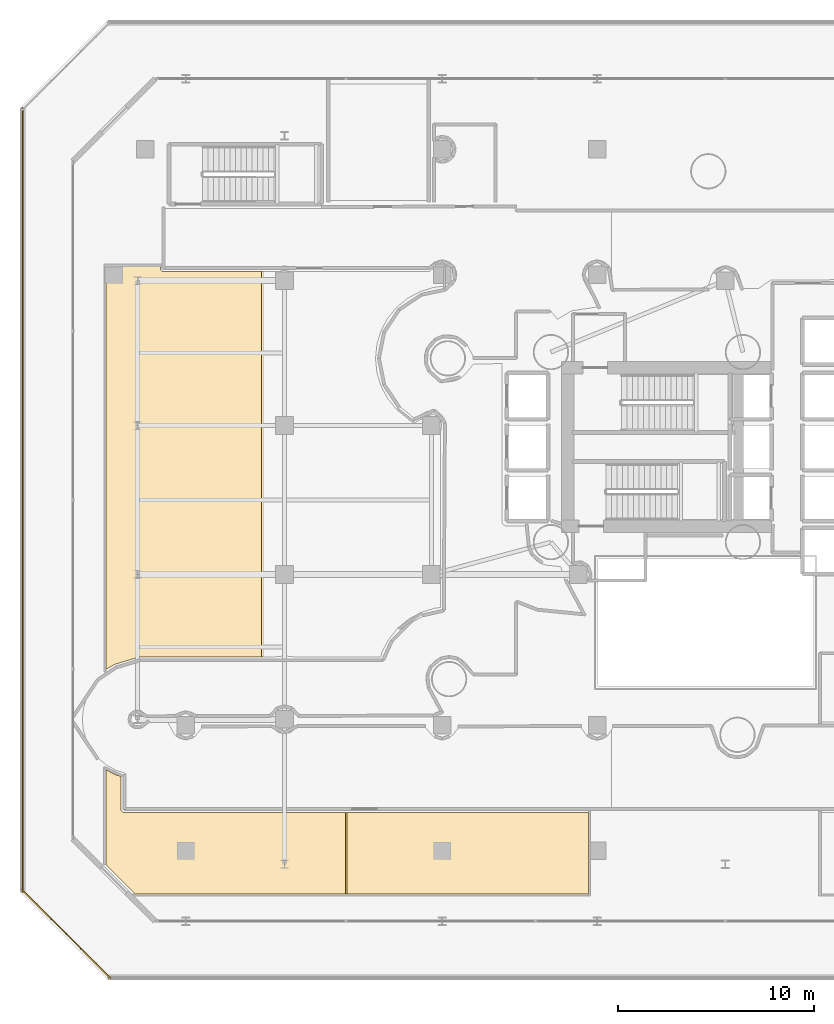
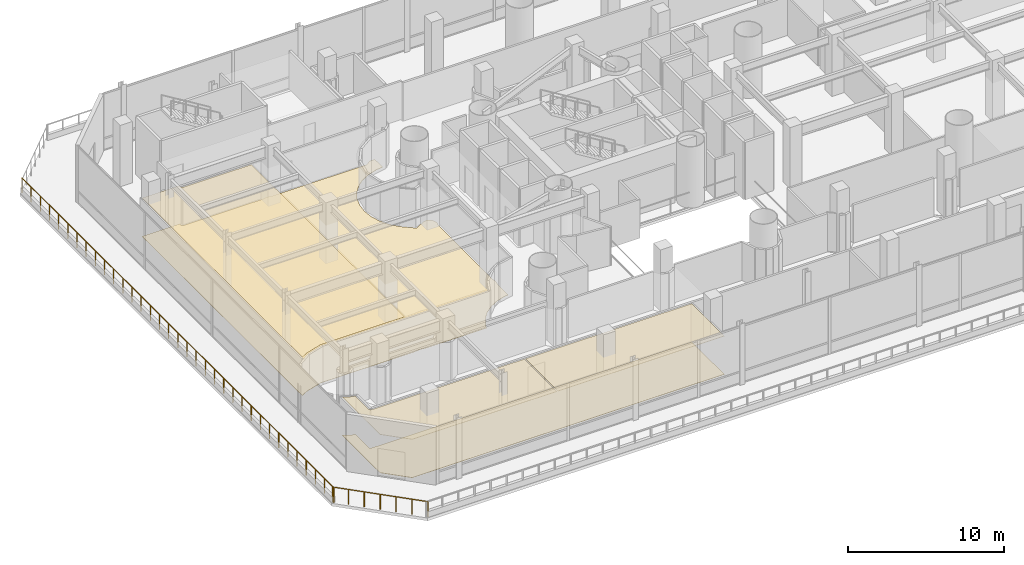
# One storey, part 31 of 39: 5 coverings, 2 railings.
"""IFC4 building model written with IfcOpenShell, lengths in metres."""

from ifc_helpers import new_model, si_unit, direction, frame, origin, origin_2d, place, context, subcontext, project, spatial, polyline, rectangle, outline, extrude, material, layer, layer_set, type_object, element, save


model = new_model("IFC4")

# Units and contexts
model_context = context("Model", 3, precision=1e-05, world=origin(), true_north=direction((0.0, 1.0)))
body_context = subcontext(model_context, "Body", "Model", "MODEL_VIEW")
ifc_project = project(units=[si_unit("LENGTHUNIT", "METRE"), si_unit("AREAUNIT", "SQUARE_METRE"), si_unit("VOLUMEUNIT", "CUBIC_METRE"), si_unit("PLANEANGLEUNIT", "RADIAN"), si_unit("MASSUNIT", "GRAM", prefix="KILO")], contexts=[model_context])

# Site, building, storey
site_placement = place(None, origin())
site = spatial("IfcSite", under=ifc_project, at=site_placement, CompositionType="ELEMENT")
building_placement = place(site_placement, origin())
building = spatial("IfcBuilding", under=site, at=building_placement, Name="Qianvela Tower", CompositionType="ELEMENT")
storey_placement = place(building_placement, frame((0.0, 0.0, 15.800048828125)))
storey = spatial("IfcBuildingStorey", under=building, at=storey_placement, Name="L03", CompositionType="ELEMENT", Elevation=15.800048828125)

# Coverings
ifc_material_1 = material(Name="Perforated Mineral Acoustic Ceiling Tile")
ifc_layer_1 = layer(ifc_material_1, 0.02490234375)
ifc_layer_set_1 = layer_set([ifc_layer_1], Name="Perforated Mineral Acoustic Ceiling Tile")
covering_type_1 = type_object("IfcCoveringType", Name="COV-CEIL-ACOUSTIC-25", PredefinedType="CEILING", material=ifc_layer_set_1)
covering_1_placement = place(storey_placement, frame((0.0, 0.0, 2.994873046875)))
element("IfcCovering", 1, at=covering_1_placement, inside=storey, type_object=covering_type_1, Name="L03 Acoustic Ceiling Bay 1 L03 Academic Reference Library", PredefinedType="CEILING", context=body_context, shape_type="SweptSolid", body=[
    extrude(outline(polyline([(7.3876953125, 5.8798828125), (5.8798828125, 7.3876953125), (5.8798828125, 12.244873046875), (6.327392578125, 11.99365234375), (6.335205078125, 11.989990234375), (6.34326171875, 11.98681640625), (6.657958984375, 11.89111328125), (6.657958984375, 10.199951171875), (6.658203125, 10.192626953125), (6.659423828125, 10.185302734375), (6.660888671875, 10.17822265625), (6.663330078125, 10.171142578125), (6.666259765625, 10.16455078125), (6.669921875, 10.157958984375), (6.674072265625, 10.152099609375), (6.6787109375, 10.146240234375), (6.734619140625, 10.084716796875), (6.740478515625, 10.07861328125), (6.7470703125, 10.073486328125), (6.754150390625, 10.06884765625), (6.761474609375, 10.065185546875), (6.769287109375, 10.062255859375), (6.77734375, 10.06005859375), (6.78564453125, 10.05859375), (6.7939453125, 10.058349609375), (18.110595703125, 10.05810546875), (18.110595703125, 5.8798828125), (7.3876953125, 5.8798828125)])), origin(), (0.0, 0.0, 1.0), 0.025146484375),
])
covering_2_placement = place(storey_placement, frame((0.0, 0.0, 2.994873046875)))
element("IfcCovering", 2, at=covering_2_placement, inside=storey, type_object=covering_type_1, Name="L03 Acoustic Ceiling Bay 2 L03 Academic Reference Library", PredefinedType="CEILING", context=body_context, shape_type="SweptSolid", body=[
    extrude(outline(polyline([(18.190673828125, 5.8798828125), (18.190673828125, 10.05810546875), (30.52001953125, 10.05810546875), (30.52001953125, 5.8798828125), (18.190673828125, 5.8798828125)])), origin(), (0.0, 0.0, 1.0), 0.025146484375),
])
covering_3_placement = place(storey_placement, frame((0.0, 0.0, 2.994873046875)))
element("IfcCovering", 3, at=covering_3_placement, inside=storey, type_object=covering_type_1, Name="L03 Acoustic Ceiling Bay 1 L03 Student Tea Pantry and Study Lounge", PredefinedType="CEILING", context=body_context, shape_type="SweptSolid", body=[
    extrude(outline(polyline([(7.6123046875, 17.991943359375), (7.6044921875, 17.99169921875), (7.596923828125, 17.990478515625), (7.58935546875, 17.988525390625), (6.343505859375, 17.613037109375), (6.335205078125, 17.610107421875), (6.327392578125, 17.606201171875), (5.8798828125, 17.355224609375), (5.8798828125, 37.919921875), (8.658447265625, 37.919921875), (8.6591796875, 37.78759765625), (8.65966796875, 37.77978515625), (8.660888671875, 37.77197265625), (8.66259765625, 37.764404296875), (8.665283203125, 37.757080078125), (8.668701171875, 37.75), (8.6728515625, 37.743408203125), (8.677490234375, 37.737060546875), (8.6826171875, 37.731201171875), (8.6884765625, 37.72607421875), (8.749267578125, 37.67626953125), (8.755615234375, 37.67138671875), (8.76220703125, 37.66748046875), (8.769287109375, 37.6640625), (8.77685546875, 37.661376953125), (8.784423828125, 37.659423828125), (8.792236328125, 37.658447265625), (8.800048828125, 37.657958984375), (13.82763671875, 37.657958984375), (13.82763671875, 17.991943359375), (7.6123046875, 17.991943359375)])), origin(), (0.0, 0.0, 1.0), 0.025146484375),
])
ifc_material_2 = material(Name="Engineered Acoustic Oak Timber Flooring", Category="wood")
ifc_layer_2 = layer(ifc_material_2, 0.02001953125)
ifc_layer_set_2 = layer_set([ifc_layer_2], Name="Engineered Acoustic Oak Timber Flooring")
covering_type_2 = type_object("IfcCoveringType", Name="COV-FLOOR-OAK-20", PredefinedType="FLOORING", material=ifc_layer_set_2)
covering_4_placement = place(storey_placement, origin())
element("IfcCovering", 4, at=covering_4_placement, inside=storey, type_object=covering_type_2, Name="L03 Finish Flooring L03 Academic Reference Library", PredefinedType="FLOORING", context=body_context, shape_type="SweptSolid", body=[
    extrude(outline(polyline([(30.52001953125, 5.8798828125), (7.3876953125, 5.8798828125), (5.8798828125, 7.3876953125), (5.8798828125, 12.244873046875), (6.327392578125, 11.99365234375), (6.335205078125, 11.989990234375), (6.34326171875, 11.98681640625), (6.657958984375, 11.89111328125), (6.657958984375, 10.199951171875), (6.658203125, 10.192626953125), (6.659423828125, 10.185302734375), (6.660888671875, 10.17822265625), (6.663330078125, 10.171142578125), (6.666259765625, 10.16455078125), (6.669921875, 10.157958984375), (6.674072265625, 10.152099609375), (6.6787109375, 10.146240234375), (6.734619140625, 10.084716796875), (6.740478515625, 10.07861328125), (6.7470703125, 10.073486328125), (6.754150390625, 10.06884765625), (6.761474609375, 10.065185546875), (6.769287109375, 10.062255859375), (6.77734375, 10.06005859375), (6.78564453125, 10.05859375), (6.7939453125, 10.058349609375), (30.52001953125, 10.05810546875), (30.52001953125, 5.8798828125)])), origin(), (0.0, 0.0, 1.0), 0.02001953125),
])
covering_5_placement = place(storey_placement, origin())
element("IfcCovering", 5, at=covering_5_placement, inside=storey, type_object=covering_type_2, Name="L03 Finish Flooring L03 Student Tea Pantry and Study Lounge", PredefinedType="FLOORING", context=body_context, shape_type="SweptSolid", body=[
    extrude(outline(polyline([(23.1201171875, 36.915283203125), (22.622802734375, 36.849853515625), (22.616455078125, 36.848876953125), (22.610107421875, 36.84716796875), (21.9326171875, 36.6416015625), (21.925048828125, 36.638916015625), (21.91796875, 36.635498046875), (21.293701171875, 36.3017578125), (21.286865234375, 36.2978515625), (21.280517578125, 36.293212890625), (20.733154296875, 35.843994140625), (20.727294921875, 35.838623046875), (20.72216796875, 35.832763671875), (20.27294921875, 35.285400390625), (20.268310546875, 35.279296875), (20.26416015625, 35.2724609375), (19.930419921875, 34.64794921875), (19.927001953125, 34.640869140625), (19.92431640625, 34.633544921875), (19.71875, 33.955810546875), (19.716796875, 33.9482421875), (19.7158203125, 33.9404296875), (19.646484375, 33.23583984375), (19.64599609375, 33.22802734375), (19.646484375, 33.22021484375), (19.7158203125, 32.515380859375), (19.716796875, 32.5078125), (19.71875, 32.5), (19.92431640625, 31.822509765625), (19.927001953125, 31.815185546875), (19.930419921875, 31.80810546875), (20.26416015625, 31.18359375), (20.268310546875, 31.1767578125), (20.27294921875, 31.17041015625), (20.72216796875, 30.623291015625), (20.7275390625, 30.6171875), (20.73388671875, 30.611572265625), (21.55029296875, 29.95458984375), (21.556640625, 29.949951171875), (21.563232421875, 29.946044921875), (21.5703125, 29.94287109375), (21.577392578125, 29.940185546875), (21.5849609375, 29.9384765625), (21.592529296875, 29.937255859375), (21.600341796875, 29.936767578125), (21.60791015625, 29.937255859375), (21.615478515625, 29.938232421875), (21.623046875, 29.940185546875), (21.63037109375, 29.942626953125), (21.63720703125, 29.94580078125), (22.297607421875, 30.287109375), (22.6162109375, 30.383544921875), (22.872802734375, 30.1728515625), (22.93408203125, 30.098388671875), (23.01513671875, 29.902587890625), (23.01513671875, 29.689697265625), (22.961181640625, 29.503173828125), (22.95947265625, 29.495849609375), (22.95849609375, 29.488525390625), (22.9580078125, 29.48095703125), (22.9580078125, 22.51904296875), (22.95849609375, 22.510498046875), (22.959716796875, 22.502197265625), (23.024658203125, 22.199951171875), (22.959716796875, 21.897705078125), (22.95849609375, 21.889404296875), (22.9580078125, 21.881103515625), (22.9580078125, 20.5087890625), (22.69140625, 20.482177734375), (22.68359375, 20.481201171875), (22.676025390625, 20.479248046875), (21.99853515625, 20.273681640625), (21.9912109375, 20.27099609375), (21.98388671875, 20.267578125), (21.359619140625, 19.933837890625), (21.352783203125, 19.9296875), (21.3466796875, 19.925048828125), (20.8037109375, 19.47998046875), (20.7978515625, 19.474609375), (20.79248046875, 19.468994140625), (20.335693359375, 18.912353515625), (20.3310546875, 18.906005859375), (20.326904296875, 18.899169921875), (19.996337890625, 18.27978515625), (19.992919921875, 18.27294921875), (19.990478515625, 18.265380859375), (19.9072265625, 17.991943359375), (15.5146484375, 17.991943359375), (15.0078125, 18.04150390625), (15.0, 18.0419921875), (14.9921875, 18.04150390625), (14.4853515625, 17.991943359375), (7.6123046875, 17.991943359375), (7.6044921875, 17.99169921875), (7.596923828125, 17.990478515625), (7.58935546875, 17.988525390625), (6.343505859375, 17.613037109375), (6.335205078125, 17.610107421875), (6.327392578125, 17.606201171875), (5.8798828125, 17.355224609375), (5.8798828125, 37.919921875), (8.658447265625, 37.919921875), (8.6591796875, 37.78759765625), (8.65966796875, 37.77978515625), (8.660888671875, 37.77197265625), (8.66259765625, 37.764404296875), (8.665283203125, 37.757080078125), (8.668701171875, 37.75), (8.6728515625, 37.743408203125), (8.677490234375, 37.737060546875), (8.6826171875, 37.731201171875), (8.6884765625, 37.72607421875), (8.749267578125, 37.67626953125), (8.755615234375, 37.67138671875), (8.76220703125, 37.66748046875), (8.769287109375, 37.6640625), (8.77685546875, 37.661376953125), (8.784423828125, 37.659423828125), (8.792236328125, 37.658447265625), (8.800048828125, 37.657958984375), (14.680908203125, 37.657958984375), (14.689453125, 37.658447265625), (14.69775390625, 37.659912109375), (15.0, 37.724609375), (15.30224609375, 37.659912109375), (15.310546875, 37.658447265625), (15.319091796875, 37.657958984375), (22.359130859375, 37.657958984375), (22.36669921875, 37.658203125), (22.3740234375, 37.659423828125), (22.38134765625, 37.6611328125), (22.38818359375, 37.66357421875), (22.395263671875, 37.66650390625), (22.401611328125, 37.67041015625), (22.40771484375, 37.674560546875), (22.727783203125, 37.919921875), (23.1201171875, 37.919921875), (23.1201171875, 36.915283203125)])), origin(), (0.0, 0.0, 1.0), 0.02001953125),
])

# Railings
ifc_material_3 = material(Name="Brushed Stainless Steel 316 and Laminated Glass", Category="steel")
railing_type = type_object("IfcRailingType", Name="RL-EXT-GUARD-1200", PredefinedType="GUARDRAIL", material=ifc_material_3)
railing_1_placement = place(storey_placement, frame((1.64990234375, 46.0, 0.0)))
element("IfcRailing", 6, at=railing_1_placement, inside=storey, type_object=railing_type, Name="L03 Podium Terrace Guardrail 7", PredefinedType="GUARDRAIL", context=body_context, shape_type="SweptSolid", body=[
    extrude(rectangle(XDim=0.050048828125, YDim=0.0400390625, at=origin_2d()), frame((0.0, 0.0, 1.179931640625), z_axis=(0.0, -1.0, 0.0), x_axis=(1.0, 0.0, 0.0)), (0.0, 0.0, 1.0), 40.0),
    extrude(rectangle(XDim=0.050048828125, YDim=0.050048828125, at=origin_2d()), origin(), (0.0, 0.0, 1.0), 1.159912109375),
    extrude(rectangle(XDim=0.050048828125, YDim=0.050048828125, at=origin_2d()), frame((0.0, -1.176513671875, 0.0)), (0.0, 0.0, 1.0), 1.159912109375),
    extrude(rectangle(XDim=0.050048828125, YDim=0.050048828125, at=origin_2d()), frame((0.0, -2.35302734375, 0.0)), (0.0, 0.0, 1.0), 1.159912109375),
    extrude(rectangle(XDim=0.050048828125, YDim=0.050048828125, at=origin_2d()), frame((0.0, -3.529296875, 0.0)), (0.0, 0.0, 1.0), 1.159912109375),
    extrude(rectangle(XDim=0.050048828125, YDim=0.050048828125, at=origin_2d()), frame((0.0, -4.705810546875, 0.0)), (0.0, 0.0, 1.0), 1.159912109375),
    extrude(rectangle(XDim=0.050048828125, YDim=0.050048828125, at=origin_2d()), frame((0.0, -5.88232421875, 0.0)), (0.0, 0.0, 1.0), 1.159912109375),
    extrude(rectangle(XDim=0.050048828125, YDim=0.050048828125, at=origin_2d()), frame((0.0, -7.058837890625, 0.0)), (0.0, 0.0, 1.0), 1.159912109375),
    extrude(rectangle(XDim=0.050048828125, YDim=0.050048828125, at=origin_2d()), frame((0.0, -8.2353515625, 0.0)), (0.0, 0.0, 1.0), 1.159912109375),
    extrude(rectangle(XDim=0.050048828125, YDim=0.050048828125, at=origin_2d()), frame((0.0, -9.411865234375, 0.0)), (0.0, 0.0, 1.0), 1.159912109375),
    extrude(rectangle(XDim=0.050048828125, YDim=0.050048828125, at=origin_2d()), frame((0.0, -10.588134765625, 0.0)), (0.0, 0.0, 1.0), 1.159912109375),
    extrude(rectangle(XDim=0.050048828125, YDim=0.050048828125, at=origin_2d()), frame((0.0, -11.7646484375, 0.0)), (0.0, 0.0, 1.0), 1.159912109375),
    extrude(rectangle(XDim=0.050048828125, YDim=0.050048828125, at=origin_2d()), frame((0.0, -12.941162109375, 0.0)), (0.0, 0.0, 1.0), 1.159912109375),
    extrude(rectangle(XDim=0.050048828125, YDim=0.050048828125, at=origin_2d()), frame((0.0, -14.11767578125, 0.0)), (0.0, 0.0, 1.0), 1.159912109375),
    extrude(rectangle(XDim=0.050048828125, YDim=0.050048828125, at=origin_2d()), frame((0.0, -15.294189453125, 0.0)), (0.0, 0.0, 1.0), 1.159912109375),
    extrude(rectangle(XDim=0.050048828125, YDim=0.050048828125, at=origin_2d()), frame((0.0, -16.470703125, 0.0)), (0.0, 0.0, 1.0), 1.159912109375),
    extrude(rectangle(XDim=0.050048828125, YDim=0.050048828125, at=origin_2d()), frame((0.0, -17.64697265625, 0.0)), (0.0, 0.0, 1.0), 1.159912109375),
    extrude(rectangle(XDim=0.050048828125, YDim=0.050048828125, at=origin_2d()), frame((0.0, -18.823486328125, 0.0)), (0.0, 0.0, 1.0), 1.159912109375),
    extrude(rectangle(XDim=0.050048828125, YDim=0.050048828125, at=origin_2d()), frame((0.0, -20.0, 0.0)), (0.0, 0.0, 1.0), 1.159912109375),
    extrude(rectangle(XDim=0.050048828125, YDim=0.050048828125, at=origin_2d()), frame((0.0, -21.176513671875, 0.0)), (0.0, 0.0, 1.0), 1.159912109375),
    extrude(rectangle(XDim=0.050048828125, YDim=0.050048828125, at=origin_2d()), frame((0.0, -22.35302734375, 0.0)), (0.0, 0.0, 1.0), 1.159912109375),
    extrude(rectangle(XDim=0.050048828125, YDim=0.050048828125, at=origin_2d()), frame((0.0, -23.529296875, 0.0)), (0.0, 0.0, 1.0), 1.159912109375),
    extrude(rectangle(XDim=0.050048828125, YDim=0.050048828125, at=origin_2d()), frame((0.0, -24.705810546875, 0.0)), (0.0, 0.0, 1.0), 1.159912109375),
    extrude(rectangle(XDim=0.050048828125, YDim=0.050048828125, at=origin_2d()), frame((0.0, -25.88232421875, 0.0)), (0.0, 0.0, 1.0), 1.159912109375),
    extrude(rectangle(XDim=0.050048828125, YDim=0.050048828125, at=origin_2d()), frame((0.0, -27.058837890625, 0.0)), (0.0, 0.0, 1.0), 1.159912109375),
    extrude(rectangle(XDim=0.050048828125, YDim=0.050048828125, at=origin_2d()), frame((0.0, -28.2353515625, 0.0)), (0.0, 0.0, 1.0), 1.159912109375),
    extrude(rectangle(XDim=0.050048828125, YDim=0.050048828125, at=origin_2d()), frame((0.0, -29.411865234375, 0.0)), (0.0, 0.0, 1.0), 1.159912109375),
    extrude(rectangle(XDim=0.050048828125, YDim=0.050048828125, at=origin_2d()), frame((0.0, -30.588134765625, 0.0)), (0.0, 0.0, 1.0), 1.159912109375),
    extrude(rectangle(XDim=0.050048828125, YDim=0.050048828125, at=origin_2d()), frame((0.0, -31.7646484375, 0.0)), (0.0, 0.0, 1.0), 1.159912109375),
    extrude(rectangle(XDim=0.050048828125, YDim=0.050048828125, at=origin_2d()), frame((0.0, -32.941162109375, 0.0)), (0.0, 0.0, 1.0), 1.159912109375),
    extrude(rectangle(XDim=0.050048828125, YDim=0.050048828125, at=origin_2d()), frame((0.0, -34.11767578125, 0.0)), (0.0, 0.0, 1.0), 1.159912109375),
    extrude(rectangle(XDim=0.050048828125, YDim=0.050048828125, at=origin_2d()), frame((0.0, -35.294189453125, 0.0)), (0.0, 0.0, 1.0), 1.159912109375),
    extrude(rectangle(XDim=0.050048828125, YDim=0.050048828125, at=origin_2d()), frame((0.0, -36.470703125, 0.0)), (0.0, 0.0, 1.0), 1.159912109375),
    extrude(rectangle(XDim=0.050048828125, YDim=0.050048828125, at=origin_2d()), frame((0.0, -37.64697265625, 0.0)), (0.0, 0.0, 1.0), 1.159912109375),
    extrude(rectangle(XDim=0.050048828125, YDim=0.050048828125, at=origin_2d()), frame((0.0, -38.823486328125, 0.0)), (0.0, 0.0, 1.0), 1.159912109375),
    extrude(rectangle(XDim=0.050048828125, YDim=0.050048828125, at=origin_2d()), frame((0.0, -40.0, 0.0)), (0.0, 0.0, 1.0), 1.159912109375),
])
railing_2_placement = place(storey_placement, frame((1.606201171875, 6.106201171875, 0.0)))
element("IfcRailing", 7, at=railing_2_placement, inside=storey, type_object=railing_type, Name="L03 Podium Terrace Guardrail 8", PredefinedType="GUARDRAIL", context=body_context, shape_type="SweptSolid", body=[
    extrude(rectangle(XDim=0.050048828125, YDim=0.0400390625, at=origin_2d()), frame((0.0, 0.0, 1.179931640625), z_axis=(0.707106781187, -0.707106781187, 0.0), x_axis=(0.707106781187, 0.707106781187, 0.0)), (0.0, 0.0, 1.0), 6.364013671875),
    extrude(rectangle(XDim=0.050048828125, YDim=0.050048828125, at=origin_2d()), origin(), (0.0, 0.0, 1.0), 1.159912109375),
    extrude(rectangle(XDim=0.050048828125, YDim=0.050048828125, at=origin_2d()), frame((0.75, -0.75, 0.0)), (0.0, 0.0, 1.0), 1.159912109375),
    extrude(rectangle(XDim=0.050048828125, YDim=0.050048828125, at=origin_2d()), frame((1.5, -1.5, 0.0)), (0.0, 0.0, 1.0), 1.159912109375),
    extrude(rectangle(XDim=0.050048828125, YDim=0.050048828125, at=origin_2d()), frame((2.25, -2.25, 0.0)), (0.0, 0.0, 1.0), 1.159912109375),
    extrude(rectangle(XDim=0.050048828125, YDim=0.050048828125, at=origin_2d()), frame((3.0, -3.0, 0.0)), (0.0, 0.0, 1.0), 1.159912109375),
    extrude(rectangle(XDim=0.050048828125, YDim=0.050048828125, at=origin_2d()), frame((3.75, -3.75, 0.0)), (0.0, 0.0, 1.0), 1.159912109375),
    extrude(rectangle(XDim=0.050048828125, YDim=0.050048828125, at=origin_2d()), frame((4.5, -4.5, 0.0)), (0.0, 0.0, 1.0), 1.159912109375),
])

save(model, "model.ifc")
